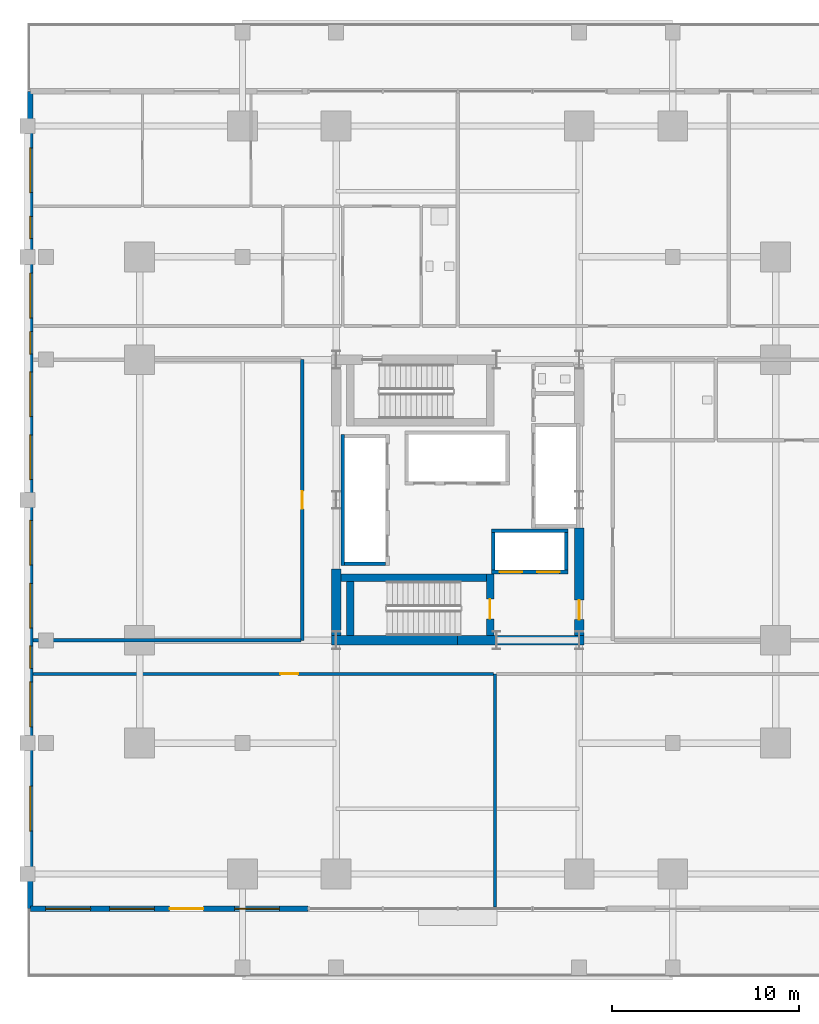
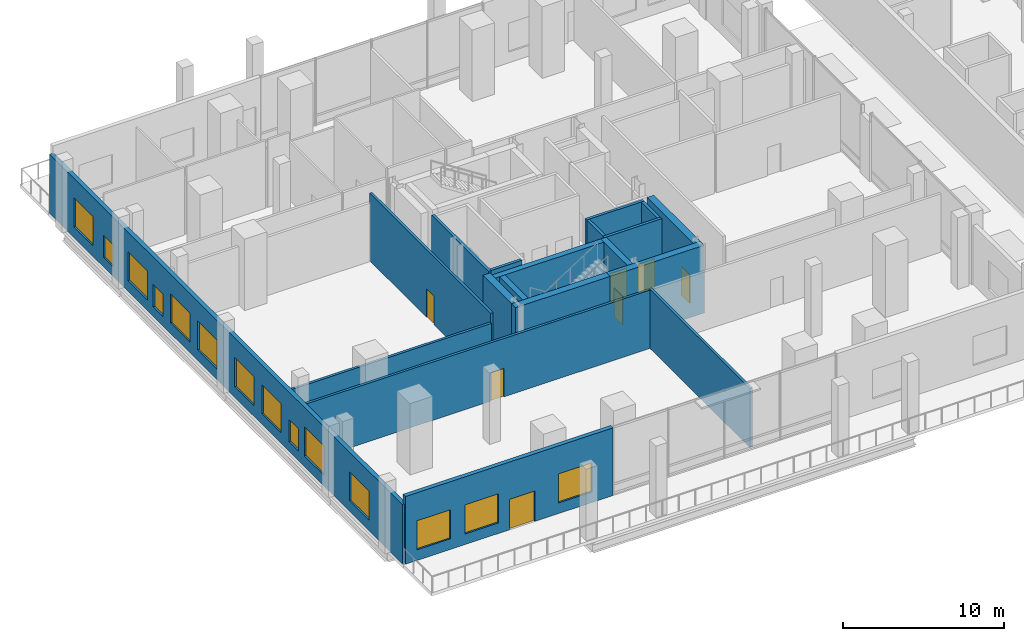
# One storey, part 25 of 36: 19 walls, 14 windows, 7 doors, 21 openings.
"""IFC4 building model written with IfcOpenShell, lengths in metres."""

from ifc_helpers import new_model, si_unit, direction, frame, frame_2d, origin, place, context, subcontext, project, spatial, rectangle, extrude, material, layer, layer_set, type_object, element, fill, save


model = new_model("IFC4")

# Units and contexts
model_context = context("Model", 3, precision=1e-05, world=origin(), true_north=direction((0.0, 1.0)))
body_context = subcontext(model_context, "Body", "Model", "MODEL_VIEW")
ifc_project = project(units=[si_unit("LENGTHUNIT", "METRE"), si_unit("AREAUNIT", "SQUARE_METRE"), si_unit("VOLUMEUNIT", "CUBIC_METRE"), si_unit("PLANEANGLEUNIT", "RADIAN"), si_unit("MASSUNIT", "GRAM", prefix="KILO")], contexts=[model_context])

# Site, building, storey
site_placement = place(None, origin())
site = spatial("IfcSite", under=ifc_project, at=site_placement, CompositionType="ELEMENT")
building_placement = place(site_placement, origin())
building = spatial("IfcBuilding", under=site, at=building_placement, Name="Barlavira Tower and Art Museum", CompositionType="ELEMENT")
storey_placement = place(building_placement, frame((0.0, 0.0, 11.39990234375)))
storey = spatial("IfcBuildingStorey", under=building, at=storey_placement, Name="L02", CompositionType="ELEMENT", Elevation=11.39990234375)

# Walls
ifc_material_1 = material(Name="Concrete C60", Category="concrete")
ifc_layer_1 = layer(ifc_material_1, 0.5, Name="Concrete C60")
ifc_layer_set_1 = layer_set([ifc_layer_1], Name="Concrete C60")
wall_type_1 = type_object("IfcWallType", Name="Core Structural Shear Wall 500 Concrete C60", PredefinedType="SHEAR", material=ifc_layer_set_1)
for number, where, z_axis, x_axis, name in (
    (1, (-6.75, -7.5, 0.0), (0.0, 0.0, 1.0), (1.0, 0.0, 0.0), "L02 Core Shear Wall CS-SW"),
    (2, (0.0, -7.5, 0.0), (0.0, 0.0, 1.0), (1.0, 0.0, 0.0), "L02 Core Shear Wall CS-SE"),
):
    element("IfcWall", number, at=place(storey_placement, frame(where, z_axis=z_axis, x_axis=x_axis)), inside=storey, type_object=wall_type_1, Name=name, PredefinedType="SHEAR", context=body_context, shape_type="SweptSolid", body=[
        extrude(rectangle(XDim=6.75, YDim=0.5, at=frame_2d((3.375, 0.0))), origin(), (0.0, 0.0, 1.0), 5.1201171875),
    ])
wall_1_placement = place(storey_placement, frame((-6.5, -7.25, 0.0), z_axis=(0.0, 0.0, 1.0), x_axis=(0.0, 1.0, 0.0)))
element("IfcWall", 3, at=wall_1_placement, inside=storey, type_object=wall_type_1, Name="L02 Core Shear Wall CS-W1", PredefinedType="SHEAR", context=body_context, shape_type="SweptSolid", body=[
    extrude(rectangle(XDim=3.550048828125, YDim=0.5, at=frame_2d((1.77490234375, 0.0))), origin(), (0.0, 0.0, 1.0), 5.1201171875),
])

# Wall, opening, door
wall_2_placement = place(storey_placement, frame((6.5, -7.25, 0.0), z_axis=(0.0, 0.0, 1.0), x_axis=(0.0, 1.0, 0.0)))
wall_2 = element("IfcWall", 4, at=wall_2_placement, inside=storey, type_object=wall_type_1, Name="L02 Core Shear Wall CS-E1", PredefinedType="SHEAR", context=body_context, shape_type="SweptSolid", body=[
    extrude(rectangle(XDim=5.75, YDim=0.5, at=frame_2d((2.875, 0.0))), origin(), (0.0, 0.0, 1.0), 5.1201171875),
])
opening_1_placement = place(wall_2_placement, frame((0.85009765625, 0.0, 0.0)))
opening_1 = element("IfcOpeningElement", 5, at=opening_1_placement, cuts=wall_2, Name="Opening FD-90", PredefinedType="OPENING", context=body_context, shape_type="SweptSolid", body=[
    extrude(rectangle(XDim=1.050048828125, YDim=2.14990234375, at=frame_2d((0.52490234375, 1.074951171875))), frame((0.0, 0.260009765625, 0.0), z_axis=(0.0, -1.0, 0.0), x_axis=(1.0, 0.0, 0.0)), (0.0, 0.0, 1.0), 0.52001953125),
])
ifc_material_2 = material(Name="Brushed stainless steel", Category="steel")
door_type_1 = type_object("IfcDoorType", Name="Stair and Refuge Fire Door 1050x2150 FD90S", OperationType="NOTDEFINED", PredefinedType="DOOR", material=ifc_material_2)
door_1_placement = place(opening_1_placement, origin())
door_1 = element("IfcDoor", 6, at=door_1_placement, inside=storey, type_object=door_type_1, Name="L02 Firefighting Lobby Entry Fire Door", OperationType="SINGLE_SWING_LEFT", OverallHeight=2.14990234375, OverallWidth=1.050048828125, PredefinedType="DOOR", context=body_context, shape_type="SweptSolid", body=[
    extrude(rectangle(XDim=1.050048828125, YDim=2.14990234375, at=frame_2d((0.52490234375, 1.074951171875))), frame((0.0, 0.02490234375, 0.0), z_axis=(0.0, -1.0, 0.0), x_axis=(1.0, 0.0, 0.0)), (0.0, 0.0, 1.0), 0.050048828125),
])
fill(opening_1, door_1)

# Walls
ifc_material_3 = material(Name="Autoclaved aerated concrete masonry", Category="masonry")
ifc_layer_2 = layer(ifc_material_3, 0.199951171875, Name="Autoclaved aerated concrete masonry")
ifc_layer_set_2 = layer_set([ifc_layer_2], Name="Autoclaved aerated concrete masonry")
wall_type_2 = type_object("IfcWallType", Name="Fire Compartment and Shaft Wall 200", PredefinedType="SOLIDWALL", material=ifc_layer_set_2)
wall_3_placement = place(storey_placement, frame((-6.14990234375, -3.510009765625, 0.0), z_axis=(0.0, 0.0, 1.0), x_axis=(0.0, 1.0, 0.0)))
element("IfcWall", 7, at=wall_3_placement, inside=storey, type_object=wall_type_2, Name="L02 Low-Rise Lift Back Shaft Wall", PredefinedType="SOLIDWALL", context=body_context, shape_type="SweptSolid", body=[
    extrude(rectangle(XDim=7.02001953125, YDim=0.199951171875, at=frame_2d((3.510009765625, 0.0))), origin(), (0.0, 0.0, 1.0), 5.1201171875),
])
wall_4_placement = place(storey_placement, frame((-6.050048828125, -3.409912109375, 0.0), z_axis=(0.0, 0.0, 1.0), x_axis=(1.0, 0.0, 0.0)))
element("IfcWall", 8, at=wall_4_placement, inside=storey, type_object=wall_type_2, Name="L02 Low-Rise Lift South Shaft Wall", PredefinedType="SOLIDWALL", context=body_context, shape_type="SweptSolid", body=[
    extrude(rectangle(XDim=2.199951171875, YDim=0.199951171875, at=frame_2d((1.10009765625, 0.0))), origin(), (0.0, 0.0, 1.0), 5.1201171875),
])

# Wall, openings, doors
wall_5_placement = place(storey_placement, frame((1.800048828125, -3.85009765625, 0.0), z_axis=(0.0, 0.0, 1.0), x_axis=(1.0, 0.0, 0.0)))
wall_5 = element("IfcWall", 9, at=wall_5_placement, inside=storey, type_object=wall_type_2, Name="L02 Firefighting Lift Front Shaft Wall", PredefinedType="SOLIDWALL", context=body_context, shape_type="SweptSolid", body=[
    extrude(rectangle(XDim=4.099853515625, YDim=0.199951171875, at=frame_2d((2.0498046875, 0.0))), origin(), (0.0, 0.0, 1.0), 5.1201171875),
])
opening_2_placement = place(wall_5_placement, frame((0.449951171875, 0.0, 0.0)))
opening_2 = element("IfcOpeningElement", 10, at=opening_2_placement, cuts=wall_5, Name="Opening LD-F", PredefinedType="OPENING", context=body_context, shape_type="SweptSolid", body=[
    extrude(rectangle(XDim=1.199951171875, YDim=2.199951171875, at=frame_2d((0.60009765625, 1.10009765625))), frame((0.0, 0.10986328125, 0.0), z_axis=(0.0, -1.0, 0.0), x_axis=(1.0, 0.0, 0.0)), (0.0, 0.0, 1.0), 0.219970703125),
])
opening_3_placement = place(wall_5_placement, frame((2.449951171875, 0.0, 0.0)))
opening_3 = element("IfcOpeningElement", 11, at=opening_3_placement, cuts=wall_5, Name="Opening LD-F", PredefinedType="OPENING", context=body_context, shape_type="SweptSolid", body=[
    extrude(rectangle(XDim=1.199951171875, YDim=2.199951171875, at=frame_2d((0.60009765625, 1.10009765625))), frame((0.0, 0.10986328125, 0.0), z_axis=(0.0, -1.0, 0.0), x_axis=(1.0, 0.0, 0.0)), (0.0, 0.0, 1.0), 0.219970703125),
])
door_type_2 = type_object("IfcDoorType", Name="Firefighting and Service Lift Sliding Door 1200x2200 FD120", OperationType="NOTDEFINED", PredefinedType="DOOR", material=ifc_material_2)
door_2_placement = place(opening_2_placement, origin())
door_2 = element("IfcDoor", 12, at=door_2_placement, inside=storey, type_object=door_type_2, Name="L02 Firefighting Lift FF1 Sliding Door", OperationType="DOUBLE_DOOR_SLIDING", OverallHeight=2.199951171875, OverallWidth=1.199951171875, PredefinedType="DOOR", context=body_context, shape_type="SweptSolid", body=[
    extrude(rectangle(XDim=1.199951171875, YDim=2.199951171875, at=frame_2d((0.60009765625, 1.10009765625))), frame((0.0, 0.02490234375, 0.0), z_axis=(0.0, -1.0, 0.0), x_axis=(1.0, 0.0, 0.0)), (0.0, 0.0, 1.0), 0.050048828125),
])
fill(opening_2, door_2)
door_3_placement = place(opening_3_placement, origin())
door_3 = element("IfcDoor", 13, at=door_3_placement, inside=storey, type_object=door_type_2, Name="L02 Firefighting Lift FF2 Sliding Door", OperationType="DOUBLE_DOOR_SLIDING", OverallHeight=2.199951171875, OverallWidth=1.199951171875, PredefinedType="DOOR", context=body_context, shape_type="SweptSolid", body=[
    extrude(rectangle(XDim=1.199951171875, YDim=2.199951171875, at=frame_2d((0.60009765625, 1.10009765625))), frame((0.0, 0.02490234375, 0.0), z_axis=(0.0, -1.0, 0.0), x_axis=(1.0, 0.0, 0.0)), (0.0, 0.0, 1.0), 0.050048828125),
])
fill(opening_3, door_3)

# Walls
wall_6_placement = place(storey_placement, frame((1.800048828125, -1.64990234375, 0.0), z_axis=(0.0, 0.0, 1.0), x_axis=(1.0, 0.0, 0.0)))
element("IfcWall", 14, at=wall_6_placement, inside=storey, type_object=wall_type_2, Name="L02 Firefighting Lift Back Shaft Wall", PredefinedType="SOLIDWALL", context=body_context, shape_type="SweptSolid", body=[
    extrude(rectangle(XDim=4.099853515625, YDim=0.199951171875, at=frame_2d((2.0498046875, 0.0))), origin(), (0.0, 0.0, 1.0), 5.1201171875),
])
for number, where, z_axis, x_axis, name in (
    (15, (1.89990234375, -3.75, 0.0), (0.0, 0.0, 1.0), (0.0, 1.0, 0.0), "L02 Firefighting Lift West Shaft Wall"),
    (16, (5.800048828125, -3.75, 0.0), (0.0, 0.0, 1.0), (0.0, 1.0, 0.0), "L02 Firefighting Lift East Shaft Wall"),
):
    element("IfcWall", number, at=place(storey_placement, frame(where, z_axis=z_axis, x_axis=x_axis)), inside=storey, type_object=wall_type_2, Name=name, PredefinedType="SOLIDWALL", context=body_context, shape_type="SweptSolid", body=[
        extrude(rectangle(XDim=2.0, YDim=0.199951171875, at=frame_2d((1.0, 0.0))), origin(), (0.0, 0.0, 1.0), 5.1201171875),
    ])

# Wall, opening, door
ifc_material_4 = material(Name="Gypsum acoustic stud partition", Category="gypsum")
ifc_layer_3 = layer(ifc_material_4, 0.179931640625, Name="Gypsum acoustic stud partition")
ifc_layer_set_3 = layer_set([ifc_layer_3], Name="Gypsum acoustic stud partition")
wall_type_3 = type_object("IfcWallType", Name="Inter-Tenancy Party Partition Wall 180", PredefinedType="PARTITIONING", material=ifc_layer_set_3)
wall_7_placement = place(storey_placement, frame((-8.300048828125, -7.5, 0.0), z_axis=(0.0, 0.0, 1.0), x_axis=(0.0, 1.0, 0.0)))
wall_7 = element("IfcWall", 17, at=wall_7_placement, inside=storey, type_object=wall_type_3, Name="L02 Partition Wall 4", PredefinedType="PARTITIONING", context=body_context, shape_type="SweptSolid", body=[
    extrude(rectangle(XDim=15.0, YDim=0.179931640625, at=frame_2d((7.5, 0.0))), origin(), (0.0, 0.0, 1.0), 5.1201171875),
])
opening_4_placement = place(wall_7_placement, frame((7.02490234375, 0.0, 0.0)))
opening_4 = element("IfcOpeningElement", 18, at=opening_4_placement, cuts=wall_7, Name="Opening FD-60", PredefinedType="OPENING", context=body_context, shape_type="SweptSolid", body=[
    extrude(rectangle(XDim=0.949951171875, YDim=2.14990234375, at=frame_2d((0.47509765625, 1.074951171875))), frame((0.0, 0.10009765625, 0.0), z_axis=(0.0, -1.0, 0.0), x_axis=(1.0, 0.0, 0.0)), (0.0, 0.0, 1.0), 0.199951171875),
])
door_type_3 = type_object("IfcDoorType", Name="Apartment Entrance and Riser Fire Door 950x2150 FD60S", OperationType="NOTDEFINED", PredefinedType="DOOR", material=ifc_material_2)
door_4_placement = place(opening_4_placement, origin())
door_4 = element("IfcDoor", 19, at=door_4_placement, inside=storey, type_object=door_type_3, Name="L02 West Ocean-View Lounge Door", OperationType="SINGLE_SWING_LEFT", OverallHeight=2.14990234375, OverallWidth=0.949951171875, PredefinedType="DOOR", context=body_context, shape_type="SweptSolid", body=[
    extrude(rectangle(XDim=0.949951171875, YDim=2.14990234375, at=frame_2d((0.47509765625, 1.074951171875))), frame((0.0, 0.02490234375, 0.0), z_axis=(0.0, -1.0, 0.0), x_axis=(1.0, 0.0, 0.0)), (0.0, 0.0, 1.0), 0.050048828125),
])
fill(opening_4, door_4)

# Wall
wall_8_placement = place(storey_placement, frame((2.0, -21.7548828125, 0.0), z_axis=(0.0, 0.0, 1.0), x_axis=(0.0, 1.0, 0.0)))
element("IfcWall", 20, at=wall_8_placement, inside=storey, type_object=wall_type_3, Name="L02 Partition Wall 8", PredefinedType="PARTITIONING", context=body_context, shape_type="SweptSolid", body=[
    extrude(rectangle(XDim=12.454833984375, YDim=0.179931640625, at=frame_2d((6.2275390625, 0.0))), origin(), (0.0, 0.0, 1.0), 4.47607421875),
])

# Wall, opening, door
wall_9_placement = place(storey_placement, frame((-22.695068359375, -9.300048828125, 0.0), z_axis=(0.0, 0.0, 1.0), x_axis=(1.0, 0.0, 0.0)))
wall_9 = element("IfcWall", 21, at=wall_9_placement, inside=storey, type_object=wall_type_3, Name="L02 Partition Wall 21", PredefinedType="PARTITIONING", context=body_context, shape_type="SweptSolid", body=[
    extrude(rectangle(XDim=24.614990234375, YDim=0.179931640625, at=frame_2d((12.3076171875, 0.0))), origin(), (0.0, 0.0, 1.0), 4.41015625),
])
opening_5_placement = place(wall_9_placement, frame((13.219970703125, 0.0, 0.0)))
opening_5 = element("IfcOpeningElement", 22, at=opening_5_placement, cuts=wall_9, Name="Opening FD-60", PredefinedType="OPENING", context=body_context, shape_type="SweptSolid", body=[
    extrude(rectangle(XDim=0.949951171875, YDim=2.14990234375, at=frame_2d((0.47509765625, 1.074951171875))), frame((0.0, 0.10009765625, 0.0), z_axis=(0.0, -1.0, 0.0), x_axis=(1.0, 0.0, 0.0)), (0.0, 0.0, 1.0), 0.199951171875),
])
door_5_placement = place(opening_5_placement, origin())
door_5 = element("IfcDoor", 23, at=door_5_placement, inside=storey, type_object=door_type_3, Name="Cascade Garden Wellness Hydrotherapy Lounge Door", OperationType="SINGLE_SWING_RIGHT", OverallHeight=2.14990234375, OverallWidth=0.949951171875, PredefinedType="DOOR", context=body_context, shape_type="SweptSolid", body=[
    extrude(rectangle(XDim=0.949951171875, YDim=2.14990234375, at=frame_2d((0.47509765625, 1.074951171875))), frame((0.0, 0.02490234375, 0.0), z_axis=(0.0, -1.0, 0.0), x_axis=(1.0, 0.0, 0.0)), (0.0, 0.0, 1.0), 0.050048828125),
])
fill(opening_5, door_5)

# Wall
wall_10_placement = place(storey_placement, frame((-22.695068359375, -7.5, 0.0), z_axis=(0.0, 0.0, 1.0), x_axis=(1.0, 0.0, 0.0)))
element("IfcWall", 24, at=wall_10_placement, inside=storey, type_object=wall_type_3, Name="L02 Partition Wall 23", PredefinedType="PARTITIONING", context=body_context, shape_type="SweptSolid", body=[
    extrude(rectangle(XDim=14.315185546875, YDim=0.179931640625, at=frame_2d((7.15771484375, 0.0))), origin(), (0.0, 0.0, 1.0), 4.41015625),
])

# Wall, openings, windows
ifc_material_5 = material(Name="Precast concrete C40", Category="concrete")
ifc_layer_4 = layer(ifc_material_5, 0.300048828125, Name="Precast concrete C40")
ifc_layer_set_4 = layer_set([ifc_layer_4], Name="Precast concrete C40")
wall_type_4 = type_object("IfcWallType", Name="Podium Architectural Precast Facade Wall 300 Concrete C40", PredefinedType="SOLIDWALL", material=ifc_layer_set_4)
wall_11_placement = place(storey_placement, frame((-22.85009765625, 21.85009765625, 0.0), z_axis=(0.0, 0.0, 1.0), x_axis=(0.0, -1.0, 0.0)))
wall_11 = element("IfcWall", 25, at=wall_11_placement, inside=storey, type_object=wall_type_4, Name="L02 Podium West Facade Wall", PredefinedType="SOLIDWALL", context=body_context, shape_type="SweptSolid", body=[
    extrude(rectangle(XDim=43.7001953125, YDim=0.300048828125, at=frame_2d((21.85009765625, 0.0))), origin(), (0.0, 0.0, 1.0), 4.47607421875),
])
opening_6_placement = place(wall_11_placement, frame((3.02001953125, 0.0, 0.800048828125)))
opening_6 = element("IfcOpeningElement", 26, at=opening_6_placement, cuts=wall_11, Name="Opening WN-02", PredefinedType="OPENING", context=body_context, shape_type="SweptSolid", body=[
    extrude(rectangle(XDim=2.39990234375, YDim=2.199951171875, at=frame_2d((1.199951171875, 1.10009765625))), frame((0.0, 0.16015625, 0.0), z_axis=(0.0, -1.0, 0.0), x_axis=(1.0, 0.0, 0.0)), (0.0, 0.0, 1.0), 0.320068359375),
])
opening_7_placement = place(wall_11_placement, frame((6.679931640625, 0.0, 0.719970703125)))
opening_7 = element("IfcOpeningElement", 27, at=opening_7_placement, cuts=wall_11, Name="Opening WN-05", PredefinedType="OPENING", context=body_context, shape_type="SweptSolid", body=[
    extrude(rectangle(XDim=1.199951171875, YDim=1.679931640625, at=frame_2d((0.60009765625, 0.83984375))), frame((0.0, 0.16015625, 0.0), z_axis=(0.0, -1.0, 0.0), x_axis=(1.0, 0.0, 0.0)), (0.0, 0.0, 1.0), 0.320068359375),
])
opening_8_placement = place(wall_11_placement, frame((9.719970703125, 0.0, 0.800048828125)))
opening_8 = element("IfcOpeningElement", 28, at=opening_8_placement, cuts=wall_11, Name="Opening WN-02", PredefinedType="OPENING", context=body_context, shape_type="SweptSolid", body=[
    extrude(rectangle(XDim=2.39990234375, YDim=2.199951171875, at=frame_2d((1.199951171875, 1.10009765625))), frame((0.0, 0.16015625, 0.0), z_axis=(0.0, -1.0, 0.0), x_axis=(1.0, 0.0, 0.0)), (0.0, 0.0, 1.0), 0.320068359375),
])
opening_9_placement = place(wall_11_placement, frame((12.85009765625, 0.0, 0.719970703125)))
opening_9 = element("IfcOpeningElement", 29, at=opening_9_placement, cuts=wall_11, Name="Opening WN-05", PredefinedType="OPENING", context=body_context, shape_type="SweptSolid", body=[
    extrude(rectangle(XDim=1.199951171875, YDim=1.679931640625, at=frame_2d((0.60009765625, 0.83984375))), frame((0.0, 0.16015625, 0.0), z_axis=(0.0, -1.0, 0.0), x_axis=(1.0, 0.0, 0.0)), (0.0, 0.0, 1.0), 0.320068359375),
])
opening_10_placement = place(wall_11_placement, frame((14.9951171875, 0.0, 0.800048828125)))
opening_10 = element("IfcOpeningElement", 30, at=opening_10_placement, cuts=wall_11, Name="Opening WN-02", PredefinedType="OPENING", context=body_context, shape_type="SweptSolid", body=[
    extrude(rectangle(XDim=2.39990234375, YDim=2.199951171875, at=frame_2d((1.199951171875, 1.10009765625))), frame((0.0, 0.16015625, 0.0), z_axis=(0.0, -1.0, 0.0), x_axis=(1.0, 0.0, 0.0)), (0.0, 0.0, 1.0), 0.320068359375),
])
opening_11_placement = place(wall_11_placement, frame((18.364990234375, 0.0, 0.800048828125)))
opening_11 = element("IfcOpeningElement", 31, at=opening_11_placement, cuts=wall_11, Name="Opening WN-02", PredefinedType="OPENING", context=body_context, shape_type="SweptSolid", body=[
    extrude(rectangle(XDim=2.39990234375, YDim=2.199951171875, at=frame_2d((1.199951171875, 1.10009765625))), frame((0.0, 0.16015625, 0.0), z_axis=(0.0, -1.0, 0.0), x_axis=(1.0, 0.0, 0.0)), (0.0, 0.0, 1.0), 0.320068359375),
])
opening_12_placement = place(wall_11_placement, frame((22.93505859375, 0.0, 0.800048828125)))
opening_12 = element("IfcOpeningElement", 32, at=opening_12_placement, cuts=wall_11, Name="Opening WN-02", PredefinedType="OPENING", context=body_context, shape_type="SweptSolid", body=[
    extrude(rectangle(XDim=2.39990234375, YDim=2.199951171875, at=frame_2d((1.199951171875, 1.10009765625))), frame((0.0, 0.16015625, 0.0), z_axis=(0.0, -1.0, 0.0), x_axis=(1.0, 0.0, 0.0)), (0.0, 0.0, 1.0), 0.320068359375),
])
opening_13_placement = place(wall_11_placement, frame((26.304931640625, 0.0, 0.800048828125)))
opening_13 = element("IfcOpeningElement", 33, at=opening_13_placement, cuts=wall_11, Name="Opening WN-02", PredefinedType="OPENING", context=body_context, shape_type="SweptSolid", body=[
    extrude(rectangle(XDim=2.39990234375, YDim=2.199951171875, at=frame_2d((1.199951171875, 1.10009765625))), frame((0.0, 0.16015625, 0.0), z_axis=(0.0, -1.0, 0.0), x_axis=(1.0, 0.0, 0.0)), (0.0, 0.0, 1.0), 0.320068359375),
])
opening_14_placement = place(wall_11_placement, frame((29.64990234375, 0.0, 0.719970703125)))
opening_14 = element("IfcOpeningElement", 34, at=opening_14_placement, cuts=wall_11, Name="Opening WN-05", PredefinedType="OPENING", context=body_context, shape_type="SweptSolid", body=[
    extrude(rectangle(XDim=1.199951171875, YDim=1.679931640625, at=frame_2d((0.60009765625, 0.83984375))), frame((0.0, 0.16015625, 0.0), z_axis=(0.0, -1.0, 0.0), x_axis=(1.0, 0.0, 0.0)), (0.0, 0.0, 1.0), 0.320068359375),
])
opening_15_placement = place(wall_11_placement, frame((31.580078125, 0.0, 0.800048828125)))
opening_15 = element("IfcOpeningElement", 35, at=opening_15_placement, cuts=wall_11, Name="Opening WN-02", PredefinedType="OPENING", context=body_context, shape_type="SweptSolid", body=[
    extrude(rectangle(XDim=2.39990234375, YDim=2.199951171875, at=frame_2d((1.199951171875, 1.10009765625))), frame((0.0, 0.16015625, 0.0), z_axis=(0.0, -1.0, 0.0), x_axis=(1.0, 0.0, 0.0)), (0.0, 0.0, 1.0), 0.320068359375),
])
opening_16_placement = place(wall_11_placement, frame((37.14990234375, 0.0, 0.800048828125)))
opening_16 = element("IfcOpeningElement", 36, at=opening_16_placement, cuts=wall_11, Name="Opening WN-02", PredefinedType="OPENING", context=body_context, shape_type="SweptSolid", body=[
    extrude(rectangle(XDim=2.39990234375, YDim=2.199951171875, at=frame_2d((1.199951171875, 1.10009765625))), frame((0.0, 0.16015625, 0.0), z_axis=(0.0, -1.0, 0.0), x_axis=(1.0, 0.0, 0.0)), (0.0, 0.0, 1.0), 0.320068359375),
])
ifc_material_6 = material(Name="Low-iron coastal laminated glass", Category="glass")
window_type_1 = type_object("IfcWindowType", Name="Podium Garden Gallery Window 2400x2200", PartitioningType="SINGLE_PANEL", PredefinedType="WINDOW", material=ifc_material_6)
window_1_placement = place(opening_6_placement, origin())
window_1 = element("IfcWindow", 37, at=window_1_placement, inside=storey, type_object=window_type_1, Name="L02 Punched Facade Window EW-L02-W-1", OverallHeight=2.199951171875, OverallWidth=2.39990234375, PartitioningType="SINGLE_PANEL", PredefinedType="WINDOW", context=body_context, shape_type="SweptSolid", body=[
    extrude(rectangle(XDim=2.39990234375, YDim=2.199951171875, at=frame_2d((1.199951171875, 1.10009765625))), frame((0.0, 0.030029296875, 0.0), z_axis=(0.0, -1.0, 0.0), x_axis=(1.0, 0.0, 0.0)), (0.0, 0.0, 1.0), 0.06005859375),
])
fill(opening_6, window_1)
window_2_placement = place(opening_8_placement, origin())
window_2 = element("IfcWindow", 38, at=window_2_placement, inside=storey, type_object=window_type_1, Name="L02 Punched Facade Window EW-L02-W-3", OverallHeight=2.199951171875, OverallWidth=2.39990234375, PartitioningType="SINGLE_PANEL", PredefinedType="WINDOW", context=body_context, shape_type="SweptSolid", body=[
    extrude(rectangle(XDim=2.39990234375, YDim=2.199951171875, at=frame_2d((1.199951171875, 1.10009765625))), frame((0.0, 0.030029296875, 0.0), z_axis=(0.0, -1.0, 0.0), x_axis=(1.0, 0.0, 0.0)), (0.0, 0.0, 1.0), 0.06005859375),
])
fill(opening_8, window_2)
window_3_placement = place(opening_10_placement, origin())
window_3 = element("IfcWindow", 39, at=window_3_placement, inside=storey, type_object=window_type_1, Name="L02 Punched Facade Window EW-L02-W-5", OverallHeight=2.199951171875, OverallWidth=2.39990234375, PartitioningType="SINGLE_PANEL", PredefinedType="WINDOW", context=body_context, shape_type="SweptSolid", body=[
    extrude(rectangle(XDim=2.39990234375, YDim=2.199951171875, at=frame_2d((1.199951171875, 1.10009765625))), frame((0.0, 0.030029296875, 0.0), z_axis=(0.0, -1.0, 0.0), x_axis=(1.0, 0.0, 0.0)), (0.0, 0.0, 1.0), 0.06005859375),
])
fill(opening_10, window_3)
window_4_placement = place(opening_11_placement, origin())
window_4 = element("IfcWindow", 40, at=window_4_placement, inside=storey, type_object=window_type_1, Name="L02 Punched Facade Window EW-L02-W-6", OverallHeight=2.199951171875, OverallWidth=2.39990234375, PartitioningType="SINGLE_PANEL", PredefinedType="WINDOW", context=body_context, shape_type="SweptSolid", body=[
    extrude(rectangle(XDim=2.39990234375, YDim=2.199951171875, at=frame_2d((1.199951171875, 1.10009765625))), frame((0.0, 0.030029296875, 0.0), z_axis=(0.0, -1.0, 0.0), x_axis=(1.0, 0.0, 0.0)), (0.0, 0.0, 1.0), 0.06005859375),
])
fill(opening_11, window_4)
window_5_placement = place(opening_12_placement, origin())
window_5 = element("IfcWindow", 41, at=window_5_placement, inside=storey, type_object=window_type_1, Name="L02 Punched Facade Window EW-L02-W-7", OverallHeight=2.199951171875, OverallWidth=2.39990234375, PartitioningType="SINGLE_PANEL", PredefinedType="WINDOW", context=body_context, shape_type="SweptSolid", body=[
    extrude(rectangle(XDim=2.39990234375, YDim=2.199951171875, at=frame_2d((1.199951171875, 1.10009765625))), frame((0.0, 0.030029296875, 0.0), z_axis=(0.0, -1.0, 0.0), x_axis=(1.0, 0.0, 0.0)), (0.0, 0.0, 1.0), 0.06005859375),
])
fill(opening_12, window_5)
window_6_placement = place(opening_13_placement, origin())
window_6 = element("IfcWindow", 42, at=window_6_placement, inside=storey, type_object=window_type_1, Name="L02 Punched Facade Window EW-L02-W-8", OverallHeight=2.199951171875, OverallWidth=2.39990234375, PartitioningType="SINGLE_PANEL", PredefinedType="WINDOW", context=body_context, shape_type="SweptSolid", body=[
    extrude(rectangle(XDim=2.39990234375, YDim=2.199951171875, at=frame_2d((1.199951171875, 1.10009765625))), frame((0.0, 0.030029296875, 0.0), z_axis=(0.0, -1.0, 0.0), x_axis=(1.0, 0.0, 0.0)), (0.0, 0.0, 1.0), 0.06005859375),
])
fill(opening_13, window_6)
window_7_placement = place(opening_15_placement, origin())
window_7 = element("IfcWindow", 43, at=window_7_placement, inside=storey, type_object=window_type_1, Name="L02 Punched Facade Window EW-L02-W-10", OverallHeight=2.199951171875, OverallWidth=2.39990234375, PartitioningType="SINGLE_PANEL", PredefinedType="WINDOW", context=body_context, shape_type="SweptSolid", body=[
    extrude(rectangle(XDim=2.39990234375, YDim=2.199951171875, at=frame_2d((1.199951171875, 1.10009765625))), frame((0.0, 0.030029296875, 0.0), z_axis=(0.0, -1.0, 0.0), x_axis=(1.0, 0.0, 0.0)), (0.0, 0.0, 1.0), 0.06005859375),
])
fill(opening_15, window_7)
window_8_placement = place(opening_16_placement, origin())
window_8 = element("IfcWindow", 44, at=window_8_placement, inside=storey, type_object=window_type_1, Name="L02 Punched Facade Window EW-L02-W-11", OverallHeight=2.199951171875, OverallWidth=2.39990234375, PartitioningType="SINGLE_PANEL", PredefinedType="WINDOW", context=body_context, shape_type="SweptSolid", body=[
    extrude(rectangle(XDim=2.39990234375, YDim=2.199951171875, at=frame_2d((1.199951171875, 1.10009765625))), frame((0.0, 0.030029296875, 0.0), z_axis=(0.0, -1.0, 0.0), x_axis=(1.0, 0.0, 0.0)), (0.0, 0.0, 1.0), 0.06005859375),
])
fill(opening_16, window_8)
window_type_2 = type_object("IfcWindowType", Name="Recessed Flank Pier Punch Window 1200x1680", PartitioningType="SINGLE_PANEL", PredefinedType="WINDOW", material=ifc_material_6)
window_9_placement = place(opening_7_placement, origin())
window_9 = element("IfcWindow", 45, at=window_9_placement, inside=storey, type_object=window_type_2, Name="L02 Punched Facade Window EW-L02-W-2", OverallHeight=1.679931640625, OverallWidth=1.199951171875, PartitioningType="SINGLE_PANEL", PredefinedType="WINDOW", context=body_context, shape_type="SweptSolid", body=[
    extrude(rectangle(XDim=1.199951171875, YDim=1.679931640625, at=frame_2d((0.60009765625, 0.83984375))), frame((0.0, 0.030029296875, 0.0), z_axis=(0.0, -1.0, 0.0), x_axis=(1.0, 0.0, 0.0)), (0.0, 0.0, 1.0), 0.06005859375),
])
fill(opening_7, window_9)
window_10_placement = place(opening_9_placement, origin())
window_10 = element("IfcWindow", 46, at=window_10_placement, inside=storey, type_object=window_type_2, Name="L02 Punched Facade Window EW-L02-W-4", OverallHeight=1.679931640625, OverallWidth=1.199951171875, PartitioningType="SINGLE_PANEL", PredefinedType="WINDOW", context=body_context, shape_type="SweptSolid", body=[
    extrude(rectangle(XDim=1.199951171875, YDim=1.679931640625, at=frame_2d((0.60009765625, 0.83984375))), frame((0.0, 0.030029296875, 0.0), z_axis=(0.0, -1.0, 0.0), x_axis=(1.0, 0.0, 0.0)), (0.0, 0.0, 1.0), 0.06005859375),
])
fill(opening_9, window_10)
window_11_placement = place(opening_14_placement, origin())
window_11 = element("IfcWindow", 47, at=window_11_placement, inside=storey, type_object=window_type_2, Name="L02 Punched Facade Window EW-L02-W-9", OverallHeight=1.679931640625, OverallWidth=1.199951171875, PartitioningType="SINGLE_PANEL", PredefinedType="WINDOW", context=body_context, shape_type="SweptSolid", body=[
    extrude(rectangle(XDim=1.199951171875, YDim=1.679931640625, at=frame_2d((0.60009765625, 0.83984375))), frame((0.0, 0.030029296875, 0.0), z_axis=(0.0, -1.0, 0.0), x_axis=(1.0, 0.0, 0.0)), (0.0, 0.0, 1.0), 0.06005859375),
])
fill(opening_14, window_11)

# Wall, openings, windows, door
wall_12_placement = place(storey_placement, frame((-8.0, -21.85009765625, 0.0), z_axis=(0.0, 0.0, 1.0), x_axis=(-1.0, 0.0, 0.0)))
wall_12 = element("IfcWall", 48, at=wall_12_placement, inside=storey, type_object=wall_type_4, Name="L02 Podium South-West Wall", PredefinedType="SOLIDWALL", context=body_context, shape_type="SweptSolid", body=[
    extrude(rectangle(XDim=14.85009765625, YDim=0.300048828125, at=frame_2d((7.425048828125, 0.0))), origin(), (0.0, 0.0, 1.0), 5.1201171875),
])
opening_17_placement = place(wall_12_placement, frame((5.60009765625, 0.0, 0.0)))
opening_17 = element("IfcOpeningElement", 49, at=opening_17_placement, cuts=wall_12, Name="Opening ED-03", PredefinedType="OPENING", context=body_context, shape_type="SweptSolid", body=[
    extrude(rectangle(XDim=1.800048828125, YDim=2.300048828125, at=frame_2d((0.89990234375, 1.14990234375))), frame((0.0, 0.16015625, 0.0), z_axis=(0.0, -1.0, 0.0), x_axis=(1.0, 0.0, 0.0)), (0.0, 0.0, 1.0), 0.320068359375),
])
opening_18_placement = place(wall_12_placement, frame((1.530029296875, 0.0, 0.800048828125)))
opening_18 = element("IfcOpeningElement", 50, at=opening_18_placement, cuts=wall_12, Name="Opening WN-02", PredefinedType="OPENING", context=body_context, shape_type="SweptSolid", body=[
    extrude(rectangle(XDim=2.39990234375, YDim=2.199951171875, at=frame_2d((1.199951171875, 1.10009765625))), frame((0.0, 0.16015625, 0.0), z_axis=(0.0, -1.0, 0.0), x_axis=(1.0, 0.0, 0.0)), (0.0, 0.0, 1.0), 0.320068359375),
])
opening_19_placement = place(wall_12_placement, frame((8.2099609375, 0.0, 0.800048828125)))
opening_19 = element("IfcOpeningElement", 51, at=opening_19_placement, cuts=wall_12, Name="Opening WN-02", PredefinedType="OPENING", context=body_context, shape_type="SweptSolid", body=[
    extrude(rectangle(XDim=2.39990234375, YDim=2.199951171875, at=frame_2d((1.199951171875, 1.10009765625))), frame((0.0, 0.16015625, 0.0), z_axis=(0.0, -1.0, 0.0), x_axis=(1.0, 0.0, 0.0)), (0.0, 0.0, 1.0), 0.320068359375),
])
opening_20_placement = place(wall_12_placement, frame((11.6298828125, 0.0, 0.800048828125)))
opening_20 = element("IfcOpeningElement", 52, at=opening_20_placement, cuts=wall_12, Name="Opening WN-02", PredefinedType="OPENING", context=body_context, shape_type="SweptSolid", body=[
    extrude(rectangle(XDim=2.39990234375, YDim=2.199951171875, at=frame_2d((1.199951171875, 1.10009765625))), frame((0.0, 0.16015625, 0.0), z_axis=(0.0, -1.0, 0.0), x_axis=(1.0, 0.0, 0.0)), (0.0, 0.0, 1.0), 0.320068359375),
])
window_12_placement = place(opening_18_placement, origin())
window_12 = element("IfcWindow", 53, at=window_12_placement, inside=storey, type_object=window_type_1, Name="L02 Punched Facade Window EW-L02-SW-1", OverallHeight=2.199951171875, OverallWidth=2.39990234375, PartitioningType="SINGLE_PANEL", PredefinedType="WINDOW", context=body_context, shape_type="SweptSolid", body=[
    extrude(rectangle(XDim=2.39990234375, YDim=2.199951171875, at=frame_2d((1.199951171875, 1.10009765625))), frame((0.0, 0.030029296875, 0.0), z_axis=(0.0, -1.0, 0.0), x_axis=(1.0, 0.0, 0.0)), (0.0, 0.0, 1.0), 0.06005859375),
])
fill(opening_18, window_12)
window_13_placement = place(opening_19_placement, origin())
window_13 = element("IfcWindow", 54, at=window_13_placement, inside=storey, type_object=window_type_1, Name="L02 Punched Facade Window EW-L02-SW-2", OverallHeight=2.199951171875, OverallWidth=2.39990234375, PartitioningType="SINGLE_PANEL", PredefinedType="WINDOW", context=body_context, shape_type="SweptSolid", body=[
    extrude(rectangle(XDim=2.39990234375, YDim=2.199951171875, at=frame_2d((1.199951171875, 1.10009765625))), frame((0.0, 0.030029296875, 0.0), z_axis=(0.0, -1.0, 0.0), x_axis=(1.0, 0.0, 0.0)), (0.0, 0.0, 1.0), 0.06005859375),
])
fill(opening_19, window_13)
window_14_placement = place(opening_20_placement, origin())
window_14 = element("IfcWindow", 55, at=window_14_placement, inside=storey, type_object=window_type_1, Name="L02 Punched Facade Window EW-L02-SW-3", OverallHeight=2.199951171875, OverallWidth=2.39990234375, PartitioningType="SINGLE_PANEL", PredefinedType="WINDOW", context=body_context, shape_type="SweptSolid", body=[
    extrude(rectangle(XDim=2.39990234375, YDim=2.199951171875, at=frame_2d((1.199951171875, 1.10009765625))), frame((0.0, 0.030029296875, 0.0), z_axis=(0.0, -1.0, 0.0), x_axis=(1.0, 0.0, 0.0)), (0.0, 0.0, 1.0), 0.06005859375),
])
fill(opening_20, window_14)
ifc_material_7 = material(Name="Pale anodised aluminium", Category="aluminium")
door_type_4 = type_object("IfcDoorType", Name="Terrace and Observation Deck Glazed Door 1800x2300", OperationType="NOTDEFINED", PredefinedType="DOOR", material=ifc_material_7)
door_6_placement = place(opening_17_placement, origin())
door_6 = element("IfcDoor", 56, at=door_6_placement, inside=storey, type_object=door_type_4, Name="L02 South Cascade Terrace Access Door", OperationType="DOUBLE_DOOR_SINGLE_SWING", OverallHeight=2.300048828125, OverallWidth=1.800048828125, PredefinedType="DOOR", context=body_context, shape_type="SweptSolid", body=[
    extrude(rectangle(XDim=1.800048828125, YDim=2.300048828125, at=frame_2d((0.89990234375, 1.14990234375))), frame((0.0, 0.02490234375, 0.0), z_axis=(0.0, -1.0, 0.0), x_axis=(1.0, 0.0, 0.0)), (0.0, 0.0, 1.0), 0.050048828125),
])
fill(opening_17, door_6)

# Walls
ifc_material_8 = material(Name="Concrete C55", Category="concrete")
ifc_layer_5 = layer(ifc_material_8, 0.39990234375, Name="Concrete C55")
ifc_layer_set_5 = layer_set([ifc_layer_5], Name="Concrete C55")
wall_type_5 = type_object("IfcWallType", Name="Upper Core Shear Wall 400 Concrete C55", PredefinedType="SHEAR", material=ifc_layer_set_5)
wall_13_placement = place(storey_placement, frame((-5.75, -7.25, 0.0), z_axis=(0.0, 0.0, 1.0), x_axis=(0.0, 1.0, 0.0)))
element("IfcWall", 57, at=wall_13_placement, inside=storey, type_object=wall_type_5, Name="L02 ST-T1 West Half-Landing Wall", PredefinedType="SHEAR", context=body_context, shape_type="SweptSolid", body=[
    extrude(rectangle(XDim=2.89990234375, YDim=0.39990234375, at=frame_2d((1.449951171875, 0.0))), origin(), (0.0, 0.0, 1.0), 5.1201171875),
])
wall_14_placement = place(storey_placement, frame((-6.25, -4.14990234375, 0.0), z_axis=(0.0, 0.0, 1.0), x_axis=(1.0, 0.0, 0.0)))
element("IfcWall", 58, at=wall_14_placement, inside=storey, type_object=wall_type_5, Name="L02 ST-T1 North Shaft Wall", PredefinedType="SHEAR", context=body_context, shape_type="SweptSolid", body=[
    extrude(rectangle(XDim=7.780029296875, YDim=0.39990234375, at=frame_2d((3.89013671875, 0.0))), origin(), (0.0, 0.0, 1.0), 5.1201171875),
])

# Wall, opening, door
wall_15_placement = place(storey_placement, frame((1.72998046875, -7.25, 0.0), z_axis=(0.0, 0.0, 1.0), x_axis=(0.0, 1.0, 0.0)))
wall_15 = element("IfcWall", 59, at=wall_15_placement, inside=storey, type_object=wall_type_5, Name="L02 ST-T1 East Landing Wall", PredefinedType="SHEAR", context=body_context, shape_type="SweptSolid", body=[
    extrude(rectangle(XDim=3.300048828125, YDim=0.39990234375, at=frame_2d((1.64990234375, 0.0))), origin(), (0.0, 0.0, 1.0), 5.1201171875),
])
opening_21_placement = place(wall_15_placement, frame((0.89990234375, 0.0, 0.0)))
opening_21 = element("IfcOpeningElement", 60, at=opening_21_placement, cuts=wall_15, Name="Opening FD-90", PredefinedType="OPENING", context=body_context, shape_type="SweptSolid", body=[
    extrude(rectangle(XDim=1.050048828125, YDim=2.14990234375, at=frame_2d((0.52490234375, 1.074951171875))), frame((0.0, 0.2099609375, 0.0), z_axis=(0.0, -1.0, 0.0), x_axis=(1.0, 0.0, 0.0)), (0.0, 0.0, 1.0), 0.419921875),
])
door_7_placement = place(opening_21_placement, origin())
door_7 = element("IfcDoor", 61, at=door_7_placement, inside=storey, type_object=door_type_1, Name="L02 Stair ST-T1 Fire Door", OperationType="SINGLE_SWING_RIGHT", OverallHeight=2.14990234375, OverallWidth=1.050048828125, PredefinedType="DOOR", context=body_context, shape_type="SweptSolid", body=[
    extrude(rectangle(XDim=1.050048828125, YDim=2.14990234375, at=frame_2d((0.52490234375, 1.074951171875))), frame((0.0, 0.02490234375, 0.0), z_axis=(0.0, -1.0, 0.0), x_axis=(1.0, 0.0, 0.0)), (0.0, 0.0, 1.0), 0.050048828125),
])
fill(opening_21, door_7)

save(model, "model.ifc")
